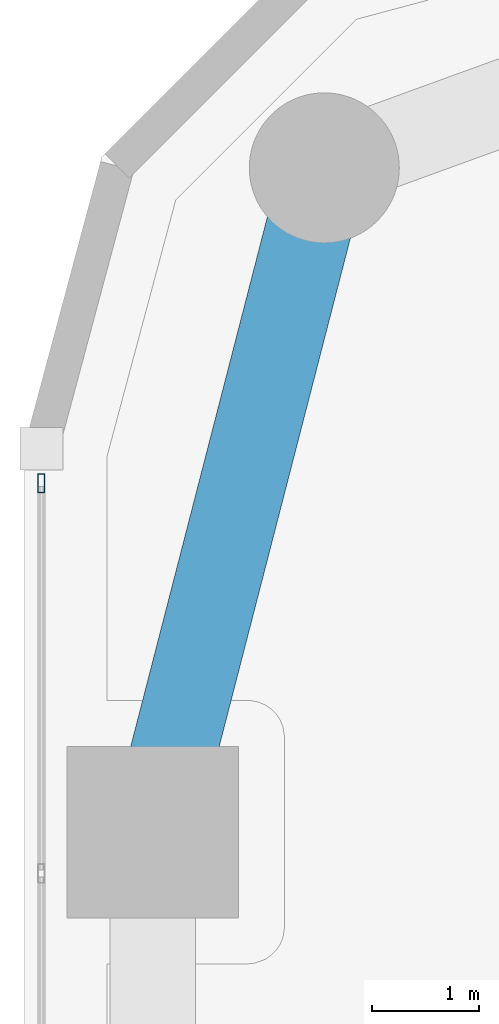
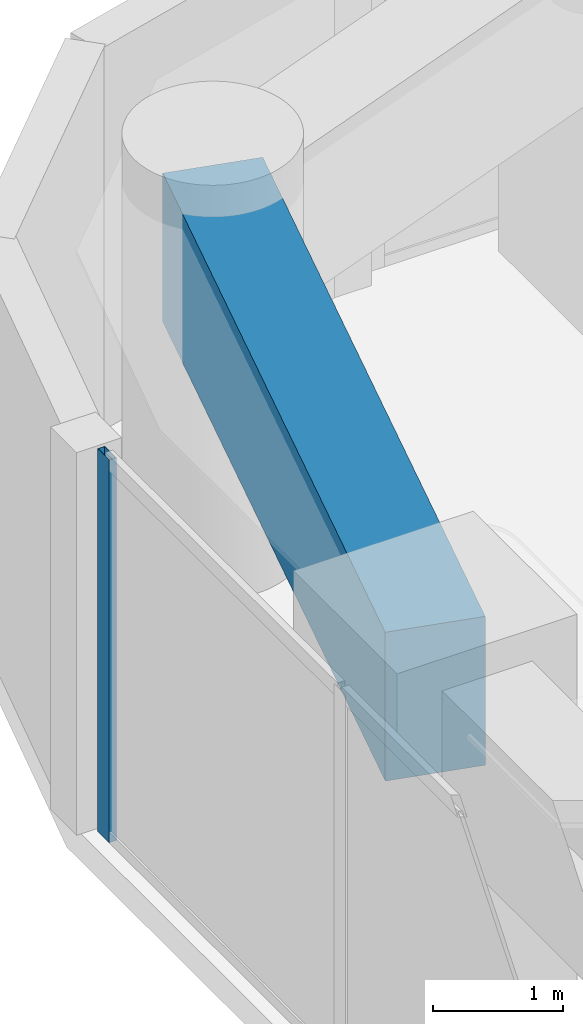
# One storey, part 14 of 28: 1 beam, 1 member, 1 element without a shape of its own.
"""IFC4 building model written with IfcOpenShell, lengths in metres."""

from ifc_helpers import new_model, si_unit, direction, frame, origin, origin_2d, place, context, subcontext, project, spatial, rectangle, hollow_rectangle, extrude, material, layer, layer_set, material_profile, profile_set, type_object, element, aggregate, save


model = new_model("IFC4")

# Units and contexts
model_context = context("Model", 3, precision=1e-05, world=origin(), true_north=direction((0.0, 1.0)))
body_context = subcontext(model_context, "Body", "Model", "MODEL_VIEW")
ifc_project = project(units=[si_unit("LENGTHUNIT", "METRE"), si_unit("AREAUNIT", "SQUARE_METRE"), si_unit("VOLUMEUNIT", "CUBIC_METRE"), si_unit("PLANEANGLEUNIT", "RADIAN"), si_unit("MASSUNIT", "GRAM", prefix="KILO")], contexts=[model_context])

# Site, building, storey
site_placement = place(None, origin())
site = spatial("IfcSite", under=ifc_project, at=site_placement, CompositionType="ELEMENT")
building_placement = place(site_placement, origin())
building = spatial("IfcBuilding", under=site, at=building_placement, Name="Kiyonajd Concourse Tower", CompositionType="ELEMENT")
storey_placement = place(building_placement, frame((0.0, 0.0, 76.800048828125)))
storey = spatial("IfcBuildingStorey", under=building, at=storey_placement, Name="L20", CompositionType="ELEMENT", Elevation=76.800048828125)

# Beam
ifc_material_1 = material(Name="Concrete C60/75", Category="concrete")
ifc_material_profile_1 = material_profile(ifc_material_1, rectangle(XDim=0.800048828125, YDim=1.39990234375, at=origin_2d()), Name="RCBM-800x1400")
ifc_profile_set_1 = profile_set([ifc_material_profile_1], Name="Concrete C60/75")
beam_type = type_object("IfcBeamType", Name="BM-XFER-RC", PredefinedType="BEAM", material=ifc_profile_set_1)
beam_placement = place(storey_placement, frame((20.800048828125, 59.60009765625, 2.89990234375), z_axis=(-0.249884937687, -0.968275538221, 0.0), x_axis=(0.968275538221, -0.249884937687, 0.0)))
element("IfcBeam", 1, at=beam_placement, inside=storey, type_object=beam_type, Name="L20 Perimeter Bundled Tube Spandrel", PredefinedType="BEAM", context=body_context, shape_type="SweptSolid", body=[
    extrude(rectangle(XDim=0.800048828125, YDim=1.39990234375, at=origin_2d()), origin(), (0.0, 0.0, 1.0), 6.4033203125),
])

# Curtain wall, member
ifc_material_2 = material(Name="Thermally Broken Anodised Aluminium", Category="aluminium")
ifc_layer = layer(ifc_material_2, 0.179931640625)
ifc_layer_set = layer_set([ifc_layer], Name="Thermally Broken Anodised Aluminium")
curtain_wall_type = type_object("IfcCurtainWallType", Name="CW-SYS-02", PredefinedType="NOTDEFINED", material=ifc_layer_set)
curtain_wall_placement = place(storey_placement, origin())
curtain_wall = element("IfcCurtainWall", 2, at=curtain_wall_placement, inside=storey, type_object=curtain_wall_type, Name="L20 Unitised Curtain Wall CW2", PredefinedType="NOTDEFINED")
ifc_material_profile_2 = material_profile(ifc_material_2, hollow_rectangle(XDim=0.06494140625, YDim=0.179931640625, WallThickness=0.00390625, at=origin_2d()), Name="MULL-65x180")
ifc_profile_set_2 = profile_set([ifc_material_profile_2], Name="Thermally Broken Anodised Aluminium")
member_type = type_object("IfcMemberType", Name="MB-CW-MULL1", PredefinedType="MULLION", material=ifc_profile_set_2)
member_placement = place(storey_placement, frame((18.159912109375, 56.656494140625, 0.0), z_axis=(0.0, 0.0, 1.0), x_axis=(-1.0, 0.0, 0.0)))
member = element("IfcMember", 3, at=member_placement, type_object=member_type, Name="CW2 mullion 7", PredefinedType="MULLION", context=body_context, shape_type="SweptSolid", body=[
    extrude(hollow_rectangle(XDim=0.06494140625, YDim=0.179931640625, WallThickness=0.00390625, at=origin_2d()), origin(), (0.0, 0.0, 1.0), 3.599853515625),
])
aggregate(curtain_wall, [member])

save(model, "model.ifc")
